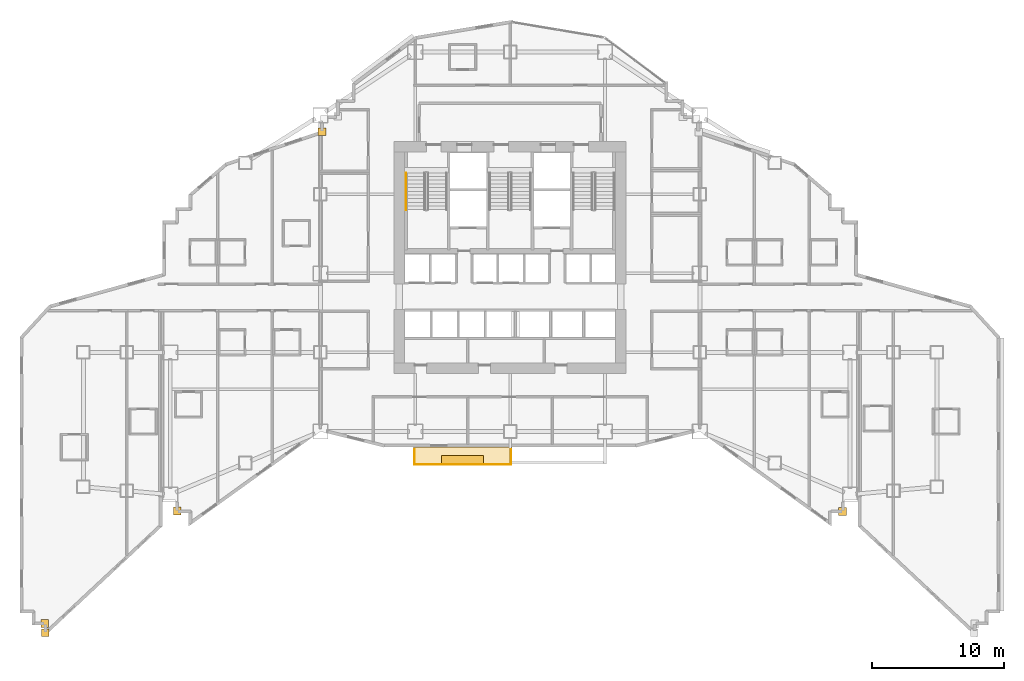
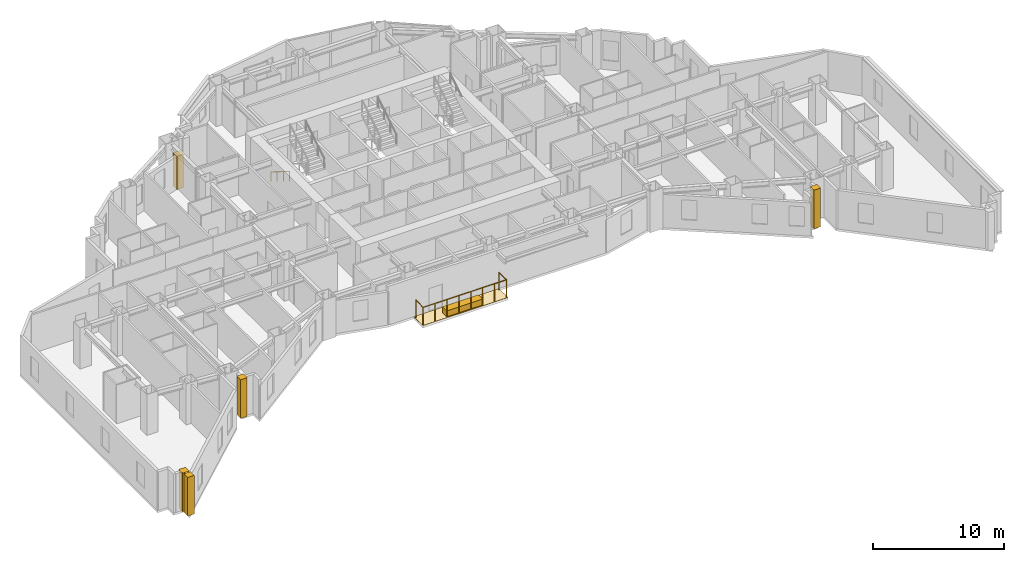
# One storey, part 14 of 16: 7 coverings, 3 railings.
"""IFC4 building model written with IfcOpenShell, lengths in metres."""

from ifc_helpers import new_model, si_unit, direction, frame, origin, origin_2d, place, context, subcontext, project, spatial, polyline, rectangle, circle, outline, extrude, material, layer, layer_set, type_object, element, save


model = new_model("IFC4")

# Units and contexts
model_context = context("Model", 3, precision=1e-05, world=origin(), true_north=direction((0.0, 1.0)))
body_context = subcontext(model_context, "Body", "Model", "MODEL_VIEW")
ifc_project = project(units=[si_unit("LENGTHUNIT", "METRE"), si_unit("AREAUNIT", "SQUARE_METRE"), si_unit("VOLUMEUNIT", "CUBIC_METRE"), si_unit("PLANEANGLEUNIT", "RADIAN"), si_unit("MASSUNIT", "GRAM", prefix="KILO")], contexts=[model_context])

# Site, building, storey
site_placement = place(None, origin())
site = spatial("IfcSite", under=ifc_project, at=site_placement, CompositionType="ELEMENT")
building_placement = place(site_placement, origin())
building = spatial("IfcBuilding", under=site, at=building_placement, Name="Haolan Belvedere Tower", CompositionType="ELEMENT")
storey_placement = place(building_placement, frame((0.0, 0.0, 78.0)))
storey = spatial("IfcBuildingStorey", under=building, at=storey_placement, Name="L19", CompositionType="ELEMENT", Elevation=78.0)

# Coverings
ifc_material_1 = material(Name="Pale champagne-silver anodised aluminium rainscreen cladding", Category="aluminium")
ifc_layer_1 = layer(ifc_material_1, 0.034912109375, Name="Pale champagne-silver anodised aluminium rainscreen cladding")
ifc_layer_set_1 = layer_set([ifc_layer_1], Name="Pale champagne-silver anodised aluminium rainscreen cladding")
covering_type_1 = type_object("IfcCoveringType", Name="COV-CLAD-35", PredefinedType="CLADDING", material=ifc_layer_set_1)
for number, where, z_axis, x_axis, name in (
    (1, (3.077392578125, 7.02001953125, 0.0), (0.0, 0.0, 1.0), (1.0, 0.0, 0.0), "L19 pale-metal serrated corner cladding trim 1"),
    (2, (3.1201171875, 6.318603515625, 0.0), (0.0, 0.0, 1.0), (1.0, 0.0, 0.0), "L19 pale-metal serrated corner cladding trim 2"),
    (3, (13.1201171875, 15.5625, 0.0), (0.0, 0.0, 1.0), (1.0, 0.0, 0.0), "L19 pale-metal serrated corner cladding trim 3"),
    (4, (63.637451171875, 15.52001953125, 0.0), (0.0, 0.0, 1.0), (1.0, 0.0, 0.0), "L19 pale-metal serrated corner cladding trim 4"),
):
    element("IfcCovering", number, at=place(storey_placement, frame(where, z_axis=z_axis, x_axis=x_axis)), inside=storey, type_object=covering_type_1, Name=name, PredefinedType="CLADDING", context=body_context, shape_type="SweptSolid", body=[
        extrude(rectangle(XDim=0.580078125, YDim=0.580078125, at=origin_2d()), origin(), (0.0, 0.0, 1.0), 3.60009765625),
    ])
covering_1_placement = place(storey_placement, frame((24.1201171875, 44.35595703125, 0.0), z_axis=(0.0, 0.0, 1.0), x_axis=(1.0, 0.0, 0.0)))
element("IfcCovering", 5, at=covering_1_placement, inside=storey, type_object=covering_type_1, Name="L19 pale-metal serrated corner cladding trim 10", PredefinedType="CLADDING", context=body_context, shape_type="SweptSolid", body=[
    extrude(rectangle(XDim=0.580078125, YDim=0.580078125, at=origin_2d()), origin(), (0.0, 0.0, 1.0), 3.096923828125),
])
ifc_material_2 = material(Name="Engineered lightweight planted garden soil substrate", Category="masonry")
ifc_layer_2 = layer(ifc_material_2, 0.550048828125, Name="Engineered lightweight planted garden soil substrate")
ifc_layer_set_2 = layer_set([ifc_layer_2], Name="Engineered lightweight planted garden soil substrate")
covering_type_2 = type_object("IfcCoveringType", Name="COV-PLANT-550", PredefinedType="MEMBRANE", material=ifc_layer_set_2)
covering_2_placement = place(storey_placement, frame((34.800048828125, 19.43994140625, 0.0), z_axis=(0.0, 0.0, 1.0), x_axis=(1.0, 0.0, 0.0)))
element("IfcCovering", 6, at=covering_2_placement, inside=storey, type_object=covering_type_2, Name="L19 structural tree balcony PLANTER box 1", PredefinedType="MEMBRANE", context=body_context, shape_type="SweptSolid", body=[
    extrude(rectangle(XDim=3.199951171875, YDim=0.64990234375, at=origin_2d()), origin(), (0.0, 0.0, 1.0), 0.550048828125),
])
ifc_material_3 = material(Name="Elastomeric waterproof roofing membrane and stone pavers", Category="masonry")
ifc_layer_3 = layer(ifc_material_3, 0.02001953125, Name="Elastomeric waterproof roofing membrane and stone pavers")
ifc_layer_set_3 = layer_set([ifc_layer_3], Name="Elastomeric waterproof roofing membrane and stone pavers")
covering_type_3 = type_object("IfcCoveringType", Name="COV-ROOF-20", PredefinedType="ROOFING", material=ifc_layer_set_3)
covering_3_placement = place(storey_placement, frame((0.0, 0.0, -0.02001953125)))
element("IfcCovering", 7, at=covering_3_placement, inside=storey, type_object=covering_type_3, Name="L19 tree-balcony waterproof membrane 1", PredefinedType="ROOFING", context=body_context, shape_type="SweptSolid", body=[
    extrude(outline(polyline([(31.050048828125, 19.02001953125), (38.550048828125, 19.02001953125), (38.550048828125, 20.39990234375), (31.050048828125, 20.39990234375), (31.050048828125, 19.02001953125)])), origin(), (0.0, 0.0, 1.0), 0.02001953125),
])

# Railings
ifc_material_4 = material(Name="Brushed stainless steel 304", Category="steel")
railing_type_1 = type_object("IfcRailingType", Name="RL-STAIR-HND-900", PredefinedType="HANDRAIL", material=ifc_material_4)
railing_1_placement = place(storey_placement, frame((30.5, 41.22998046875, 0.172607421875)))
element("IfcRailing", 8, at=railing_1_placement, inside=storey, type_object=railing_type_1, Name="L19 ST1 stair handrail 1", PredefinedType="HANDRAIL", context=body_context, shape_type="SweptSolid", body=[
    extrude(circle(Radius=0.02392578125, at=origin_2d()), frame((0.0, 0.0, 0.8759765625), z_axis=(0.0, -0.851089632645, 0.525020415988), x_axis=(1.0, 0.0, 0.0)), (0.0, 0.0, 1.0), 3.2900390625),
    extrude(circle(Radius=0.02099609375, at=origin_2d()), origin(), (0.0, 0.0, 1.0), 0.851806640625),
    extrude(circle(Radius=0.02099609375, at=origin_2d()), frame((0.0, -0.933349609375, 0.57568359375)), (0.0, 0.0, 1.0), 0.851806640625),
    extrude(circle(Radius=0.02099609375, at=origin_2d()), frame((0.0, -1.86669921875, 1.151611328125)), (0.0, 0.0, 1.0), 0.851806640625),
    extrude(circle(Radius=0.02099609375, at=origin_2d()), frame((0.0, -2.800048828125, 1.727294921875)), (0.0, 0.0, 1.0), 0.851806640625),
])
ifc_material_5 = material(Name="Anodised aluminium and laminated glass balustrade", Category="aluminium")
railing_type_2 = type_object("IfcRailingType", Name="RL-TER-BAL-1150", PredefinedType="BALUSTRADE", material=ifc_material_5)
railing_2_placement = place(storey_placement, frame((31.1298828125, 19.10009765625, 0.0)))
element("IfcRailing", 9, at=railing_2_placement, inside=storey, type_object=railing_type_2, Name="L19 outdoor perimeter balustrade BAL-L19-1-1", PredefinedType="BALUSTRADE", context=body_context, shape_type="SweptSolid", body=[
    extrude(circle(Radius=0.02392578125, at=origin_2d()), frame((0.0, 0.0, 1.6259765625), z_axis=(0.0, 1.0, 0.0), x_axis=(-1.0, 0.0, 0.0)), (0.0, 0.0, 1.0), 1.119873046875),
    extrude(circle(Radius=0.02099609375, at=origin_2d()), origin(), (0.0, 0.0, 1.0), 1.601806640625),
    extrude(circle(Radius=0.02099609375, at=origin_2d()), frame((0.0, 1.119873046875, 0.0)), (0.0, 0.0, 1.0), 1.601806640625),
])
railing_3_placement = place(storey_placement, frame((38.469970703125, 20.219970703125, 0.0)))
element("IfcRailing", 10, at=railing_3_placement, inside=storey, type_object=railing_type_2, Name="L19 outdoor perimeter balustrade BAL-L19-1-2", PredefinedType="BALUSTRADE", context=body_context, shape_type="SweptSolid", body=[
    extrude(circle(Radius=0.02392578125, at=origin_2d()), frame((0.0, 0.0, 1.6259765625), z_axis=(0.0, -1.0, 0.0), x_axis=(1.0, 0.0, 0.0)), (0.0, 0.0, 1.0), 1.119873046875),
    extrude(circle(Radius=0.02392578125, at=origin_2d()), frame((0.0, -1.119873046875, 1.6259765625), z_axis=(-1.0, 0.0, 0.0), x_axis=(0.0, -1.0, 0.0)), (0.0, 0.0, 1.0), 7.340087890625),
    extrude(circle(Radius=0.02099609375, at=origin_2d()), origin(), (0.0, 0.0, 1.0), 1.601806640625),
    extrude(circle(Radius=0.02099609375, at=origin_2d()), frame((0.0, -1.119873046875, 0.0)), (0.0, 0.0, 1.0), 1.601806640625),
    extrude(circle(Radius=0.02099609375, at=origin_2d()), frame((-1.048583984375, -1.119873046875, 0.0)), (0.0, 0.0, 1.0), 1.601806640625),
    extrude(circle(Radius=0.02099609375, at=origin_2d()), frame((-2.09716796875, -1.119873046875, 0.0)), (0.0, 0.0, 1.0), 1.601806640625),
    extrude(circle(Radius=0.02099609375, at=origin_2d()), frame((-3.145751953125, -1.119873046875, 0.0)), (0.0, 0.0, 1.0), 1.601806640625),
    extrude(circle(Radius=0.02099609375, at=origin_2d()), frame((-4.1943359375, -1.119873046875, 0.0)), (0.0, 0.0, 1.0), 1.601806640625),
    extrude(circle(Radius=0.02099609375, at=origin_2d()), frame((-5.242919921875, -1.119873046875, 0.0)), (0.0, 0.0, 1.0), 1.601806640625),
    extrude(circle(Radius=0.02099609375, at=origin_2d()), frame((-6.29150390625, -1.119873046875, 0.0)), (0.0, 0.0, 1.0), 1.601806640625),
    extrude(circle(Radius=0.02099609375, at=origin_2d()), frame((-7.340087890625, -1.119873046875, 0.0)), (0.0, 0.0, 1.0), 1.601806640625),
])

save(model, "model.ifc")
